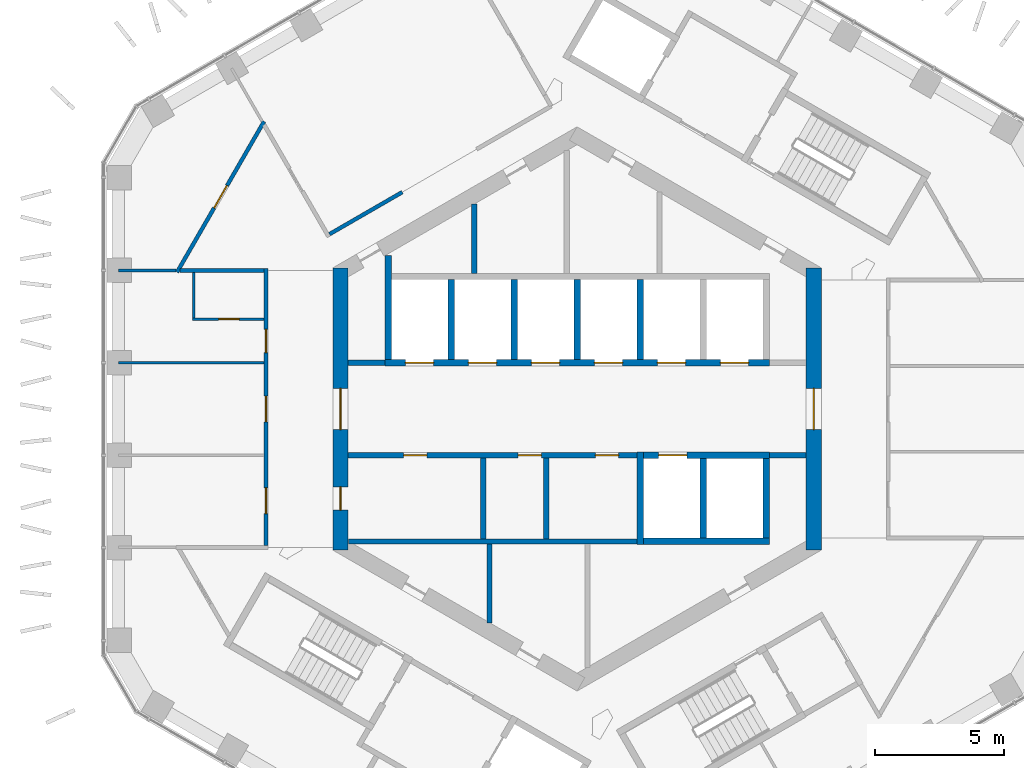
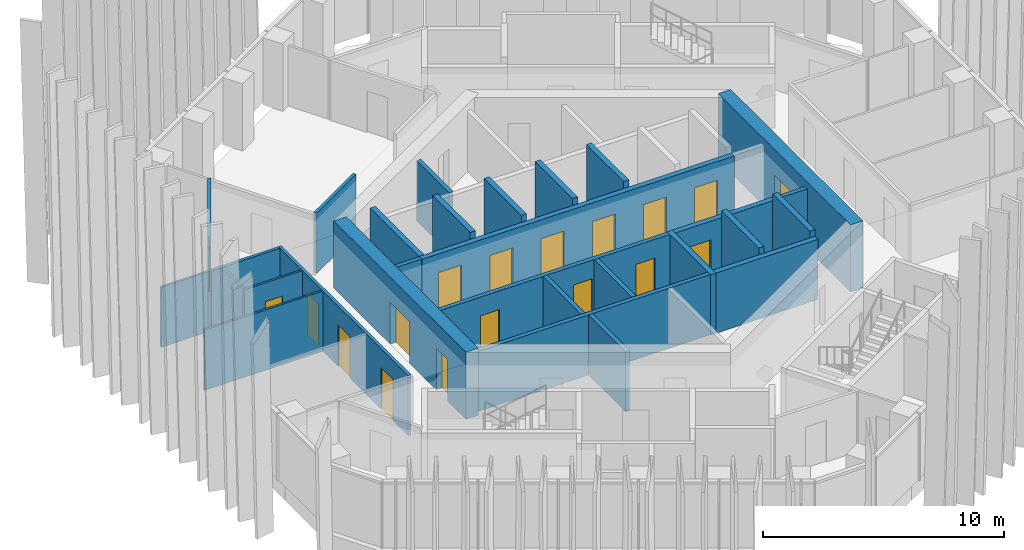
# One storey, part 14 of 21: 29 walls, 18 doors, 18 openings.
"""IFC4 building model written with IfcOpenShell, lengths in metres."""

from ifc_helpers import new_model, si_unit, direction, frame, frame_2d, origin, place, context, subcontext, project, spatial, rectangle, extrude, material, layer, layer_set, type_object, element, fill, save


model = new_model("IFC4")

# Units and contexts
model_context = context("Model", 3, precision=1e-05, world=origin(), true_north=direction((0.0, 1.0)))
body_context = subcontext(model_context, "Body", "Model", "MODEL_VIEW")
ifc_project = project(units=[si_unit("LENGTHUNIT", "METRE"), si_unit("AREAUNIT", "SQUARE_METRE"), si_unit("VOLUMEUNIT", "CUBIC_METRE"), si_unit("PLANEANGLEUNIT", "RADIAN"), si_unit("MASSUNIT", "GRAM", prefix="KILO")], contexts=[model_context])

# Site, building, storey
site_placement = place(None, origin())
site = spatial("IfcSite", under=ifc_project, at=site_placement, CompositionType="ELEMENT")
building_placement = place(site_placement, origin())
building = spatial("IfcBuilding", under=site, at=building_placement, Name="Ayvan Gate Tower", CompositionType="ELEMENT")
storey_placement = place(building_placement, frame((0.0, 0.0, 173.10009765625)))
storey = spatial("IfcBuildingStorey", under=building, at=storey_placement, Name="L46", CompositionType="ELEMENT", Elevation=173.10009765625)

# Wall, opening, door
ifc_material_1 = material(Name="Concrete C60/75", Category="concrete")
ifc_layer_1 = layer(ifc_material_1, 0.60009765625)
ifc_layer_set_1 = layer_set([ifc_layer_1], Name="Concrete C60/75")
wall_type_1 = type_object("IfcWallType", Name="Core wall 600 C60/75", PredefinedType="SHEAR", material=ifc_layer_set_1)
wall_1_placement = place(storey_placement, frame((9.199951171875, -5.48486328125, 0.0), z_axis=(0.0, 0.0, 1.0), x_axis=(0.0, 1.0, 0.0)))
wall_1 = element("IfcWall", 1, at=wall_1_placement, inside=storey, type_object=wall_type_1, Name="CORE-L46-0", PredefinedType="SHEAR", context=body_context, shape_type="SweptSolid", body=[
    extrude(rectangle(XDim=10.9697265625, YDim=0.60009765625, at=frame_2d((5.48486328125, 0.0))), origin(), (0.0, 0.0, 1.0), 3.39990234375),
])
opening_1_placement = place(wall_1_placement, frame((4.684814453125, 0.0, 0.0)))
opening_1 = element("IfcOpeningElement", 2, at=opening_1_placement, cuts=wall_1, Name="Opening L46-D48", PredefinedType="OPENING", context=body_context, shape_type="SweptSolid", body=[
    extrude(rectangle(XDim=1.60009765625, YDim=2.10009765625, at=frame_2d((0.800048828125, 1.050048828125))), frame((0.0, 0.31005859375, 0.0), z_axis=(0.0, -1.0, 0.0), x_axis=(1.0, 0.0, 0.0)), (0.0, 0.0, 1.0), 0.6201171875),
])
ifc_material_2 = material(Name="Timber door leaf", Category="wood")
door_type_1 = type_object("IfcDoorType", Name="DT-1600", OperationType="NOTDEFINED", PredefinedType="DOOR", material=ifc_material_2)
door_1_placement = place(opening_1_placement, origin())
door_1 = element("IfcDoor", 3, at=door_1_placement, inside=storey, type_object=door_type_1, Name="CD-L46-48", OperationType="SINGLE_SWING_RIGHT", OverallHeight=2.10009765625, OverallWidth=1.60009765625, PredefinedType="DOOR", context=body_context, shape_type="SweptSolid", body=[
    extrude(rectangle(XDim=1.60009765625, YDim=2.10009765625, at=frame_2d((0.800048828125, 1.050048828125))), frame((0.0, 0.02490234375, 0.0), z_axis=(0.0, -1.0, 0.0), x_axis=(1.0, 0.0, 0.0)), (0.0, 0.0, 1.0), 0.050048828125),
])
fill(opening_1, door_1)

# Wall, openings, doors
wall_2_placement = place(storey_placement, frame((-9.199951171875, 5.48486328125, 0.0), z_axis=(0.0, 0.0, 1.0), x_axis=(0.0, -1.0, 0.0)))
wall_2 = element("IfcWall", 4, at=wall_2_placement, inside=storey, type_object=wall_type_1, Name="CORE-L46-3", PredefinedType="SHEAR", context=body_context, shape_type="SweptSolid", body=[
    extrude(rectangle(XDim=10.9697265625, YDim=0.60009765625, at=frame_2d((5.48486328125, 0.0))), origin(), (0.0, 0.0, 1.0), 3.39990234375),
])
opening_2_placement = place(wall_2_placement, frame((8.51611328125, 0.0, 0.0)))
opening_2 = element("IfcOpeningElement", 5, at=opening_2_placement, cuts=wall_2, Name="Opening L46-D47", PredefinedType="OPENING", context=body_context, shape_type="SweptSolid", body=[
    extrude(rectangle(XDim=0.89990234375, YDim=2.10009765625, at=frame_2d((0.449951171875, 1.050048828125))), frame((0.0, 0.31005859375, 0.0), z_axis=(0.0, -1.0, 0.0), x_axis=(1.0, 0.0, 0.0)), (0.0, 0.0, 1.0), 0.6201171875),
])
opening_3_placement = place(wall_2_placement, frame((4.684814453125, 0.0, 0.0)))
opening_3 = element("IfcOpeningElement", 6, at=opening_3_placement, cuts=wall_2, Name="Opening L46-D49", PredefinedType="OPENING", context=body_context, shape_type="SweptSolid", body=[
    extrude(rectangle(XDim=1.60009765625, YDim=2.10009765625, at=frame_2d((0.800048828125, 1.050048828125))), frame((0.0, 0.31005859375, 0.0), z_axis=(0.0, -1.0, 0.0), x_axis=(1.0, 0.0, 0.0)), (0.0, 0.0, 1.0), 0.6201171875),
])
door_2_placement = place(opening_3_placement, origin())
door_2 = element("IfcDoor", 7, at=door_2_placement, inside=storey, type_object=door_type_1, Name="CD-L46-49", OperationType="SINGLE_SWING_LEFT", OverallHeight=2.10009765625, OverallWidth=1.60009765625, PredefinedType="DOOR", context=body_context, shape_type="SweptSolid", body=[
    extrude(rectangle(XDim=1.60009765625, YDim=2.10009765625, at=frame_2d((0.800048828125, 1.050048828125))), frame((0.0, 0.02490234375, 0.0), z_axis=(0.0, -1.0, 0.0), x_axis=(1.0, 0.0, 0.0)), (0.0, 0.0, 1.0), 0.050048828125),
])
fill(opening_3, door_2)
door_type_2 = type_object("IfcDoorType", Name="DT-900", OperationType="NOTDEFINED", PredefinedType="DOOR", material=ifc_material_2)
door_3_placement = place(opening_2_placement, origin())
door_3 = element("IfcDoor", 8, at=door_3_placement, inside=storey, type_object=door_type_2, Name="CD-L46-47", OperationType="SINGLE_SWING_LEFT", OverallHeight=2.10009765625, OverallWidth=0.89990234375, PredefinedType="DOOR", context=body_context, shape_type="SweptSolid", body=[
    extrude(rectangle(XDim=0.89990234375, YDim=2.10009765625, at=frame_2d((0.449951171875, 1.050048828125))), frame((0.0, 0.02490234375, 0.0), z_axis=(0.0, -1.0, 0.0), x_axis=(1.0, 0.0, 0.0)), (0.0, 0.0, 1.0), 0.050048828125),
])
fill(opening_2, door_3)

# Wall, opening, door
ifc_material_3 = material(Name="Plasterboard on steel stud", Category="steel")
ifc_layer_2 = layer(ifc_material_3, 0.14990234375)
ifc_layer_set_2 = layer_set([ifc_layer_2], Name="Plasterboard on steel stud")
wall_type_2 = type_object("IfcWallType", Name="WT-CORR-150", PredefinedType="PARTITIONING", material=ifc_layer_set_2)
wall_3_placement = place(storey_placement, frame((-15.5546875, 5.319091796875, 0.0), z_axis=(0.0, 0.0, 1.0), x_axis=(0.500006564844, 0.866021613537, 0.0)))
wall_3 = element("IfcWall", 9, at=wall_3_placement, inside=storey, type_object=wall_type_2, Name="IW-L46-001", PredefinedType="PARTITIONING", context=body_context, shape_type="SweptSolid", body=[
    extrude(rectangle(XDim=6.76904296875, YDim=0.14990234375, at=frame_2d((3.384521484375, 0.0))), origin(), (0.0, 0.0, 1.0), 3.0498046875),
])
opening_4_placement = place(wall_3_placement, frame((2.884521484375, 0.0, 0.0)))
opening_4 = element("IfcOpeningElement", 10, at=opening_4_placement, cuts=wall_3, Name="Opening L46-D28", PredefinedType="OPENING", context=body_context, shape_type="SweptSolid", body=[
    extrude(rectangle(XDim=1.0, YDim=2.10009765625, at=frame_2d((0.5, 1.050048828125))), frame((0.0, 0.0849609375, 0.0), z_axis=(0.0, -1.0, 0.0), x_axis=(1.0, 0.0, 0.0)), (0.0, 0.0, 1.0), 0.169921875),
])
door_type_3 = type_object("IfcDoorType", Name="DT-1000", OperationType="NOTDEFINED", PredefinedType="DOOR", material=ifc_material_2)
door_4_placement = place(opening_4_placement, origin())
door_4 = element("IfcDoor", 11, at=door_4_placement, inside=storey, type_object=door_type_3, Name="ID-L46-028", OperationType="SINGLE_SWING_RIGHT", OverallHeight=2.10009765625, OverallWidth=1.0, PredefinedType="DOOR", context=body_context, shape_type="SweptSolid", body=[
    extrude(rectangle(XDim=1.0, YDim=2.10009765625, at=frame_2d((0.5, 1.050048828125))), frame((0.0, 0.02490234375, 0.0), z_axis=(0.0, -1.0, 0.0), x_axis=(1.0, 0.0, 0.0)), (0.0, 0.0, 1.0), 0.050048828125),
])
fill(opening_4, door_4)

# Wall, openings, doors
wall_4_placement = place(storey_placement, frame((-12.10009765625, -5.30908203125, 0.0), z_axis=(0.0, 0.0, 1.0), x_axis=(0.0, 1.0, 0.0)))
wall_4 = element("IfcWall", 12, at=wall_4_placement, inside=storey, type_object=wall_type_2, Name="IW-L46-010", PredefinedType="PARTITIONING", context=body_context, shape_type="SweptSolid", body=[
    extrude(rectangle(XDim=10.76806640625, YDim=0.14990234375, at=frame_2d((5.384033203125, 0.0))), origin(), (0.0, 0.0, 1.0), 3.0498046875),
])
opening_5_placement = place(wall_4_placement, frame((7.50390625, 0.0, 0.0)))
opening_5 = element("IfcOpeningElement", 13, at=opening_5_placement, cuts=wall_4, Name="Opening L46-D29", PredefinedType="OPENING", context=body_context, shape_type="SweptSolid", body=[
    extrude(rectangle(XDim=0.89990234375, YDim=2.10009765625, at=frame_2d((0.449951171875, 1.050048828125))), frame((0.0, 0.0849609375, 0.0), z_axis=(0.0, -1.0, 0.0), x_axis=(1.0, 0.0, 0.0)), (0.0, 0.0, 1.0), 0.169921875),
])
opening_6_placement = place(wall_4_placement, frame((4.80908203125, 0.0, 0.0)))
opening_6 = element("IfcOpeningElement", 14, at=opening_6_placement, cuts=wall_4, Name="Opening L46-D31", PredefinedType="OPENING", context=body_context, shape_type="SweptSolid", body=[
    extrude(rectangle(XDim=1.0, YDim=2.10009765625, at=frame_2d((0.5, 1.050048828125))), frame((0.0, 0.0849609375, 0.0), z_axis=(0.0, -1.0, 0.0), x_axis=(1.0, 0.0, 0.0)), (0.0, 0.0, 1.0), 0.169921875),
])
opening_7_placement = place(wall_4_placement, frame((1.2421875, 0.0, 0.0)))
opening_7 = element("IfcOpeningElement", 15, at=opening_7_placement, cuts=wall_4, Name="Opening L46-D32", PredefinedType="OPENING", context=body_context, shape_type="SweptSolid", body=[
    extrude(rectangle(XDim=1.0, YDim=2.10009765625, at=frame_2d((0.5, 1.050048828125))), frame((0.0, 0.0849609375, 0.0), z_axis=(0.0, -1.0, 0.0), x_axis=(1.0, 0.0, 0.0)), (0.0, 0.0, 1.0), 0.169921875),
])
door_5_placement = place(opening_6_placement, origin())
door_5 = element("IfcDoor", 16, at=door_5_placement, inside=storey, type_object=door_type_3, Name="ID-L46-031", OperationType="SINGLE_SWING_LEFT", OverallHeight=2.10009765625, OverallWidth=1.0, PredefinedType="DOOR", context=body_context, shape_type="SweptSolid", body=[
    extrude(rectangle(XDim=1.0, YDim=2.10009765625, at=frame_2d((0.5, 1.050048828125))), frame((0.0, 0.02490234375, 0.0), z_axis=(0.0, -1.0, 0.0), x_axis=(1.0, 0.0, 0.0)), (0.0, 0.0, 1.0), 0.050048828125),
])
fill(opening_6, door_5)
door_6_placement = place(opening_7_placement, origin())
door_6 = element("IfcDoor", 17, at=door_6_placement, inside=storey, type_object=door_type_3, Name="ID-L46-032", OperationType="SINGLE_SWING_RIGHT", OverallHeight=2.10009765625, OverallWidth=1.0, PredefinedType="DOOR", context=body_context, shape_type="SweptSolid", body=[
    extrude(rectangle(XDim=1.0, YDim=2.10009765625, at=frame_2d((0.5, 1.050048828125))), frame((0.0, 0.02490234375, 0.0), z_axis=(0.0, -1.0, 0.0), x_axis=(1.0, 0.0, 0.0)), (0.0, 0.0, 1.0), 0.050048828125),
])
fill(opening_7, door_6)
door_7_placement = place(opening_5_placement, origin())
door_7 = element("IfcDoor", 18, at=door_7_placement, inside=storey, type_object=door_type_2, Name="ID-L46-029", OperationType="SINGLE_SWING_LEFT", OverallHeight=2.10009765625, OverallWidth=0.89990234375, PredefinedType="DOOR", context=body_context, shape_type="SweptSolid", body=[
    extrude(rectangle(XDim=0.89990234375, YDim=2.10009765625, at=frame_2d((0.449951171875, 1.050048828125))), frame((0.0, 0.02490234375, 0.0), z_axis=(0.0, -1.0, 0.0), x_axis=(1.0, 0.0, 0.0)), (0.0, 0.0, 1.0), 0.050048828125),
])
fill(opening_5, door_7)

# Walls
wall_5_placement = place(storey_placement, frame((-12.1748046875, 5.384033203125, 0.0), z_axis=(0.0, 0.0, 1.0), x_axis=(-1.0, 0.0, 0.0)))
element("IfcWall", 19, at=wall_5_placement, inside=storey, type_object=wall_type_2, Name="IW-L46-013", PredefinedType="PARTITIONING", context=body_context, shape_type="SweptSolid", body=[
    extrude(rectangle(XDim=3.267333984375, YDim=0.14990234375, at=frame_2d((1.6337890625, 0.0))), origin(), (0.0, 0.0, 1.0), 3.0498046875),
])
wall_6_placement = place(storey_placement, frame((-9.62744140625, 6.796875, 0.0), z_axis=(0.0, 0.0, 1.0), x_axis=(0.866013897511, 0.50001992892, 0.0)))
element("IfcWall", 20, at=wall_6_placement, inside=storey, type_object=wall_type_2, Name="IW-L46-015", PredefinedType="PARTITIONING", context=body_context, shape_type="SweptSolid", body=[
    extrude(rectangle(XDim=3.267822265625, YDim=0.14990234375, at=frame_2d((1.6337890625, 0.0))), origin(), (0.0, 0.0, 1.0), 3.0498046875),
])
ifc_layer_3 = layer(ifc_material_3, 0.10009765625)
ifc_layer_set_3 = layer_set([ifc_layer_3], Name="Plasterboard on steel stud")
wall_type_3 = type_object("IfcWallType", Name="WT-PART-100", PredefinedType="PARTITIONING", material=ifc_layer_set_3)
wall_7_placement = place(storey_placement, frame((-15.59228515625, 5.384033203125, 0.0), z_axis=(0.0, 0.0, 1.0), x_axis=(-1.0, 0.0, 0.0)))
element("IfcWall", 21, at=wall_7_placement, inside=storey, type_object=wall_type_3, Name="IW-L46-000", PredefinedType="PARTITIONING", context=body_context, shape_type="SweptSolid", body=[
    extrude(rectangle(XDim=2.23828125, YDim=0.10009765625, at=frame_2d((1.119140625, 0.0))), origin(), (0.0, 0.0, 1.0), 3.0498046875),
])

# Wall, opening, door
wall_8_placement = place(storey_placement, frame((-14.949951171875, 3.49462890625, 0.0), z_axis=(0.0, 0.0, 1.0), x_axis=(1.0, 0.0, 0.0)))
wall_8 = element("IfcWall", 22, at=wall_8_placement, inside=storey, type_object=wall_type_3, Name="IW-L46-004", PredefinedType="PARTITIONING", context=body_context, shape_type="SweptSolid", body=[
    extrude(rectangle(XDim=2.77490234375, YDim=0.10009765625, at=frame_2d((1.387451171875, 0.0))), origin(), (0.0, 0.0, 1.0), 3.0498046875),
])
opening_8_placement = place(wall_8_placement, frame((1.012451171875, 0.0, 0.0)))
opening_8 = element("IfcOpeningElement", 23, at=opening_8_placement, cuts=wall_8, Name="Opening L46-D30", PredefinedType="OPENING", context=body_context, shape_type="SweptSolid", body=[
    extrude(rectangle(XDim=0.800048828125, YDim=2.10009765625, at=frame_2d((0.39990234375, 1.050048828125))), frame((0.0, 0.06005859375, 0.0), z_axis=(0.0, -1.0, 0.0), x_axis=(1.0, 0.0, 0.0)), (0.0, 0.0, 1.0), 0.1201171875),
])
door_type_4 = type_object("IfcDoorType", Name="DT-800", OperationType="NOTDEFINED", PredefinedType="DOOR", material=ifc_material_2)
door_8_placement = place(opening_8_placement, origin())
door_8 = element("IfcDoor", 24, at=door_8_placement, inside=storey, type_object=door_type_4, Name="ID-L46-030", OperationType="SINGLE_SWING_RIGHT", OverallHeight=2.10009765625, OverallWidth=0.800048828125, PredefinedType="DOOR", context=body_context, shape_type="SweptSolid", body=[
    extrude(rectangle(XDim=0.800048828125, YDim=2.10009765625, at=frame_2d((0.39990234375, 1.050048828125))), frame((0.0, 0.02490234375, 0.0), z_axis=(0.0, -1.0, 0.0), x_axis=(1.0, 0.0, 0.0)), (0.0, 0.0, 1.0), 0.050048828125),
])
fill(opening_8, door_8)

# Walls
wall_9_placement = place(storey_placement, frame((-14.89990234375, 5.30908203125, 0.0), z_axis=(0.0, 0.0, 1.0), x_axis=(0.0, -1.0, 0.0)))
element("IfcWall", 25, at=wall_9_placement, inside=storey, type_object=wall_type_3, Name="IW-L46-005", PredefinedType="PARTITIONING", context=body_context, shape_type="SweptSolid", body=[
    extrude(rectangle(XDim=1.764404296875, YDim=0.10009765625, at=frame_2d((0.88232421875, 0.0))), origin(), (0.0, 0.0, 1.0), 3.0498046875),
])
wall_10_placement = place(storey_placement, frame((-12.175048828125, 1.794677734375, 0.0), z_axis=(0.0, 0.0, 1.0), x_axis=(-1.0, 0.0, 0.0)))
element("IfcWall", 26, at=wall_10_placement, inside=storey, type_object=wall_type_3, Name="IW-L46-012", PredefinedType="PARTITIONING", context=body_context, shape_type="SweptSolid", body=[
    extrude(rectangle(XDim=5.655517578125, YDim=0.10009765625, at=frame_2d((2.82763671875, 0.0))), origin(), (0.0, 0.0, 1.0), 3.0498046875),
])
ifc_layer_4 = layer(ifc_material_3, 0.199951171875)
ifc_layer_set_4 = layer_set([ifc_layer_4], Name="Plasterboard on steel stud")
wall_type_4 = type_object("IfcWallType", Name="WT-RATED-200", PredefinedType="PARTITIONING", material=ifc_layer_set_4)
wall_11_placement = place(storey_placement, frame((-8.89990234375, 1.800048828125, 0.0), z_axis=(0.0, 0.0, 1.0), x_axis=(1.0, 0.0, 0.0)))
element("IfcWall", 27, at=wall_11_placement, inside=storey, type_object=wall_type_4, Name="IW-L46-016", PredefinedType="PARTITIONING", context=body_context, shape_type="SweptSolid", body=[
    extrude(rectangle(XDim=1.425048828125, YDim=0.199951171875, at=frame_2d((0.71240234375, 0.0))), origin(), (0.0, 0.0, 1.0), 3.0498046875),
])
wall_12_placement = place(storey_placement, frame((-8.8798828125, -5.14990234375, 0.0), z_axis=(0.0, 0.0, 1.0), x_axis=(1.0, 0.0, 0.0)))
element("IfcWall", 28, at=wall_12_placement, inside=storey, type_object=wall_type_4, Name="IW-L46-017", PredefinedType="PARTITIONING", context=body_context, shape_type="SweptSolid", body=[
    extrude(rectangle(XDim=11.205078125, YDim=0.199951171875, at=frame_2d((5.6025390625, 0.0))), origin(), (0.0, 0.0, 1.0), 3.0498046875),
])
wall_13_placement = place(storey_placement, frame((-4.0, 7.96728515625, 0.0), z_axis=(0.0, 0.0, 1.0), x_axis=(0.0, -1.0, 0.0)))
element("IfcWall", 29, at=wall_13_placement, inside=storey, type_object=wall_type_4, Name="IW-L46-031", PredefinedType="PARTITIONING", context=body_context, shape_type="SweptSolid", body=[
    extrude(rectangle(XDim=2.6923828125, YDim=0.199951171875, at=frame_2d((1.34619140625, 0.0))), origin(), (0.0, 0.0, 1.0), 3.0498046875),
])
wall_14_placement = place(storey_placement, frame((-3.64990234375, -1.89990234375, 0.0), z_axis=(0.0, 0.0, 1.0), x_axis=(0.0, -1.0, 0.0)))
element("IfcWall", 30, at=wall_14_placement, inside=storey, type_object=wall_type_4, Name="IW-L46-034", PredefinedType="PARTITIONING", context=body_context, shape_type="SweptSolid", body=[
    extrude(rectangle(XDim=3.150146484375, YDim=0.199951171875, at=frame_2d((1.5751953125, 0.0))), origin(), (0.0, 0.0, 1.0), 3.0498046875),
])

# Wall, openings, doors
wall_15_placement = place(storey_placement, frame((-8.89990234375, -1.800048828125, 0.0), z_axis=(0.0, 0.0, 1.0), x_axis=(1.0, 0.0, 0.0)))
wall_15 = element("IfcWall", 31, at=wall_15_placement, inside=storey, type_object=wall_type_4, Name="IW-L46-035", PredefinedType="PARTITIONING", context=body_context, shape_type="SweptSolid", body=[
    extrude(rectangle(XDim=11.22509765625, YDim=0.199951171875, at=frame_2d((5.612548828125, 0.0))), origin(), (0.0, 0.0, 1.0), 3.0498046875),
])
opening_9_placement = place(wall_15_placement, frame((2.159912109375, 0.0, 0.0)))
opening_9 = element("IfcOpeningElement", 32, at=opening_9_placement, cuts=wall_15, Name="Opening L46-D08", PredefinedType="OPENING", context=body_context, shape_type="SweptSolid", body=[
    extrude(rectangle(XDim=0.89990234375, YDim=2.10009765625, at=frame_2d((0.449951171875, 1.050048828125))), frame((0.0, 0.10986328125, 0.0), z_axis=(0.0, -1.0, 0.0), x_axis=(1.0, 0.0, 0.0)), (0.0, 0.0, 1.0), 0.219970703125),
])
opening_10_placement = place(wall_15_placement, frame((6.610107421875, 0.0, 0.0)))
opening_10 = element("IfcOpeningElement", 33, at=opening_10_placement, cuts=wall_15, Name="Opening L46-D09", PredefinedType="OPENING", context=body_context, shape_type="SweptSolid", body=[
    extrude(rectangle(XDim=0.89990234375, YDim=2.10009765625, at=frame_2d((0.449951171875, 1.050048828125))), frame((0.0, 0.10986328125, 0.0), z_axis=(0.0, -1.0, 0.0), x_axis=(1.0, 0.0, 0.0)), (0.0, 0.0, 1.0), 0.219970703125),
])
opening_11_placement = place(wall_15_placement, frame((9.612548828125, 0.0, 0.0)))
opening_11 = element("IfcOpeningElement", 34, at=opening_11_placement, cuts=wall_15, Name="Opening L46-D10", PredefinedType="OPENING", context=body_context, shape_type="SweptSolid", body=[
    extrude(rectangle(XDim=0.89990234375, YDim=2.10009765625, at=frame_2d((0.449951171875, 1.050048828125))), frame((0.0, 0.10986328125, 0.0), z_axis=(0.0, -1.0, 0.0), x_axis=(1.0, 0.0, 0.0)), (0.0, 0.0, 1.0), 0.219970703125),
])
door_9_placement = place(opening_9_placement, origin())
door_9 = element("IfcDoor", 35, at=door_9_placement, inside=storey, type_object=door_type_2, Name="ID-L46-008", OperationType="SINGLE_SWING_RIGHT", OverallHeight=2.10009765625, OverallWidth=0.89990234375, PredefinedType="DOOR", context=body_context, shape_type="SweptSolid", body=[
    extrude(rectangle(XDim=0.89990234375, YDim=2.10009765625, at=frame_2d((0.449951171875, 1.050048828125))), frame((0.0, 0.02490234375, 0.0), z_axis=(0.0, -1.0, 0.0), x_axis=(1.0, 0.0, 0.0)), (0.0, 0.0, 1.0), 0.050048828125),
])
fill(opening_9, door_9)
door_10_placement = place(opening_10_placement, origin())
door_10 = element("IfcDoor", 36, at=door_10_placement, inside=storey, type_object=door_type_2, Name="ID-L46-009", OperationType="SINGLE_SWING_LEFT", OverallHeight=2.10009765625, OverallWidth=0.89990234375, PredefinedType="DOOR", context=body_context, shape_type="SweptSolid", body=[
    extrude(rectangle(XDim=0.89990234375, YDim=2.10009765625, at=frame_2d((0.449951171875, 1.050048828125))), frame((0.0, 0.02490234375, 0.0), z_axis=(0.0, -1.0, 0.0), x_axis=(1.0, 0.0, 0.0)), (0.0, 0.0, 1.0), 0.050048828125),
])
fill(opening_10, door_10)
door_11_placement = place(opening_11_placement, origin())
door_11 = element("IfcDoor", 37, at=door_11_placement, inside=storey, type_object=door_type_2, Name="ID-L46-010", OperationType="SINGLE_SWING_RIGHT", OverallHeight=2.10009765625, OverallWidth=0.89990234375, PredefinedType="DOOR", context=body_context, shape_type="SweptSolid", body=[
    extrude(rectangle(XDim=0.89990234375, YDim=2.10009765625, at=frame_2d((0.449951171875, 1.050048828125))), frame((0.0, 0.02490234375, 0.0), z_axis=(0.0, -1.0, 0.0), x_axis=(1.0, 0.0, 0.0)), (0.0, 0.0, 1.0), 0.050048828125),
])
fill(opening_11, door_11)

# Walls
wall_16_placement = place(storey_placement, frame((-3.39990234375, -5.25, 0.0), z_axis=(0.0, 0.0, 1.0), x_axis=(0.0, -1.0, 0.0)))
element("IfcWall", 38, at=wall_16_placement, inside=storey, type_object=wall_type_4, Name="IW-L46-038", PredefinedType="PARTITIONING", context=body_context, shape_type="SweptSolid", body=[
    extrude(rectangle(XDim=3.063720703125, YDim=0.199951171875, at=frame_2d((1.53173828125, 0.0))), origin(), (0.0, 0.0, 1.0), 3.0498046875),
])
wall_17_placement = place(storey_placement, frame((-1.199951171875, -1.89990234375, 0.0), z_axis=(0.0, 0.0, 1.0), x_axis=(0.0, -1.0, 0.0)))
element("IfcWall", 39, at=wall_17_placement, inside=storey, type_object=wall_type_4, Name="IW-L46-045", PredefinedType="PARTITIONING", context=body_context, shape_type="SweptSolid", body=[
    extrude(rectangle(XDim=3.150146484375, YDim=0.199951171875, at=frame_2d((1.5751953125, 0.0))), origin(), (0.0, 0.0, 1.0), 3.0498046875),
])
wall_18_placement = place(storey_placement, frame((8.89990234375, -1.800048828125, 0.0), z_axis=(0.0, 0.0, 1.0), x_axis=(-1.0, 0.0, 0.0)))
element("IfcWall", 40, at=wall_18_placement, inside=storey, type_object=wall_type_4, Name="IW-L46-083", PredefinedType="PARTITIONING", context=body_context, shape_type="SweptSolid", body=[
    extrude(rectangle(XDim=1.425048828125, YDim=0.199951171875, at=frame_2d((0.71240234375, 0.0))), origin(), (0.0, 0.0, 1.0), 3.0498046875),
])

# Wall, openings, doors
ifc_material_4 = material(Name="Concrete C50/60", Category="concrete")
ifc_layer_5 = layer(ifc_material_4, 0.25)
ifc_layer_set_5 = layer_set([ifc_layer_5], Name="Concrete C50/60")
wall_type_5 = type_object("IfcWallType", Name="WT-RC-250", PredefinedType="SHEAR", material=ifc_layer_set_5)
wall_19_placement = place(storey_placement, frame((-7.47509765625, 1.800048828125, 0.0), z_axis=(0.0, 0.0, 1.0), x_axis=(1.0, 0.0, 0.0)))
wall_19 = element("IfcWall", 41, at=wall_19_placement, inside=storey, type_object=wall_type_5, Name="IW-L46-023", PredefinedType="SHEAR", context=body_context, shape_type="SweptSolid", body=[
    extrude(rectangle(XDim=14.9501953125, YDim=0.25, at=frame_2d((7.47509765625, 0.0))), origin(), (0.0, 0.0, 1.0), 3.0498046875),
])
opening_12_placement = place(wall_19_placement, frame((0.800048828125, 0.0, 0.0)))
opening_12 = element("IfcOpeningElement", 42, at=opening_12_placement, cuts=wall_19, Name="Opening L46-LD-HR1", PredefinedType="OPENING", context=body_context, shape_type="SweptSolid", body=[
    extrude(rectangle(XDim=1.10009765625, YDim=2.10009765625, at=frame_2d((0.550048828125, 1.050048828125))), frame((0.0, 0.135009765625, 0.0), z_axis=(0.0, -1.0, 0.0), x_axis=(1.0, 0.0, 0.0)), (0.0, 0.0, 1.0), 0.27001953125),
])
opening_13_placement = place(wall_19_placement, frame((3.25, 0.0, 0.0)))
opening_13 = element("IfcOpeningElement", 43, at=opening_13_placement, cuts=wall_19, Name="Opening L46-LD-HR2", PredefinedType="OPENING", context=body_context, shape_type="SweptSolid", body=[
    extrude(rectangle(XDim=1.10009765625, YDim=2.10009765625, at=frame_2d((0.550048828125, 1.050048828125))), frame((0.0, 0.135009765625, 0.0), z_axis=(0.0, -1.0, 0.0), x_axis=(1.0, 0.0, 0.0)), (0.0, 0.0, 1.0), 0.27001953125),
])
opening_14_placement = place(wall_19_placement, frame((5.7001953125, 0.0, 0.0)))
opening_14 = element("IfcOpeningElement", 44, at=opening_14_placement, cuts=wall_19, Name="Opening L46-LD-HR3", PredefinedType="OPENING", context=body_context, shape_type="SweptSolid", body=[
    extrude(rectangle(XDim=1.10009765625, YDim=2.10009765625, at=frame_2d((0.550048828125, 1.050048828125))), frame((0.0, 0.135009765625, 0.0), z_axis=(0.0, -1.0, 0.0), x_axis=(1.0, 0.0, 0.0)), (0.0, 0.0, 1.0), 0.27001953125),
])
opening_15_placement = place(wall_19_placement, frame((8.150146484375, 0.0, 0.0)))
opening_15 = element("IfcOpeningElement", 45, at=opening_15_placement, cuts=wall_19, Name="Opening L46-LD-HR4", PredefinedType="OPENING", context=body_context, shape_type="SweptSolid", body=[
    extrude(rectangle(XDim=1.10009765625, YDim=2.10009765625, at=frame_2d((0.550048828125, 1.050048828125))), frame((0.0, 0.135009765625, 0.0), z_axis=(0.0, -1.0, 0.0), x_axis=(1.0, 0.0, 0.0)), (0.0, 0.0, 1.0), 0.27001953125),
])
opening_16_placement = place(wall_19_placement, frame((10.60009765625, 0.0, 0.0)))
opening_16 = element("IfcOpeningElement", 46, at=opening_16_placement, cuts=wall_19, Name="Opening L46-LD-HR5", PredefinedType="OPENING", context=body_context, shape_type="SweptSolid", body=[
    extrude(rectangle(XDim=1.10009765625, YDim=2.10009765625, at=frame_2d((0.550048828125, 1.050048828125))), frame((0.0, 0.135009765625, 0.0), z_axis=(0.0, -1.0, 0.0), x_axis=(1.0, 0.0, 0.0)), (0.0, 0.0, 1.0), 0.27001953125),
])
opening_17_placement = place(wall_19_placement, frame((13.050048828125, 0.0, 0.0)))
opening_17 = element("IfcOpeningElement", 47, at=opening_17_placement, cuts=wall_19, Name="Opening L46-LD-HR6", PredefinedType="OPENING", context=body_context, shape_type="SweptSolid", body=[
    extrude(rectangle(XDim=1.10009765625, YDim=2.10009765625, at=frame_2d((0.550048828125, 1.050048828125))), frame((0.0, 0.135009765625, 0.0), z_axis=(0.0, -1.0, 0.0), x_axis=(1.0, 0.0, 0.0)), (0.0, 0.0, 1.0), 0.27001953125),
])
ifc_material_5 = material(Name="Stainless steel landing door", Category="steel")
door_type_5 = type_object("IfcDoorType", Name="DT-LANDING-1100", OperationType="SLIDING_TO_LEFT", PredefinedType="DOOR", material=ifc_material_5)
door_12_placement = place(opening_12_placement, origin())
door_12 = element("IfcDoor", 48, at=door_12_placement, inside=storey, type_object=door_type_5, Name="ID-L46-001", OperationType="SLIDING_TO_LEFT", OverallHeight=2.10009765625, OverallWidth=1.10009765625, PredefinedType="DOOR", context=body_context, shape_type="SweptSolid", body=[
    extrude(rectangle(XDim=1.10009765625, YDim=2.10009765625, at=frame_2d((0.550048828125, 1.050048828125))), frame((0.0, 0.02490234375, 0.0), z_axis=(0.0, -1.0, 0.0), x_axis=(1.0, 0.0, 0.0)), (0.0, 0.0, 1.0), 0.050048828125),
])
fill(opening_12, door_12)
door_13_placement = place(opening_13_placement, origin())
door_13 = element("IfcDoor", 49, at=door_13_placement, inside=storey, type_object=door_type_5, Name="ID-L46-002", OperationType="SLIDING_TO_LEFT", OverallHeight=2.10009765625, OverallWidth=1.10009765625, PredefinedType="DOOR", context=body_context, shape_type="SweptSolid", body=[
    extrude(rectangle(XDim=1.10009765625, YDim=2.10009765625, at=frame_2d((0.550048828125, 1.050048828125))), frame((0.0, 0.02490234375, 0.0), z_axis=(0.0, -1.0, 0.0), x_axis=(1.0, 0.0, 0.0)), (0.0, 0.0, 1.0), 0.050048828125),
])
fill(opening_13, door_13)
door_14_placement = place(opening_14_placement, origin())
door_14 = element("IfcDoor", 50, at=door_14_placement, inside=storey, type_object=door_type_5, Name="ID-L46-003", OperationType="SLIDING_TO_LEFT", OverallHeight=2.10009765625, OverallWidth=1.10009765625, PredefinedType="DOOR", context=body_context, shape_type="SweptSolid", body=[
    extrude(rectangle(XDim=1.10009765625, YDim=2.10009765625, at=frame_2d((0.550048828125, 1.050048828125))), frame((0.0, 0.02490234375, 0.0), z_axis=(0.0, -1.0, 0.0), x_axis=(1.0, 0.0, 0.0)), (0.0, 0.0, 1.0), 0.050048828125),
])
fill(opening_14, door_14)
door_15_placement = place(opening_15_placement, origin())
door_15 = element("IfcDoor", 51, at=door_15_placement, inside=storey, type_object=door_type_5, Name="ID-L46-004", OperationType="SLIDING_TO_LEFT", OverallHeight=2.10009765625, OverallWidth=1.10009765625, PredefinedType="DOOR", context=body_context, shape_type="SweptSolid", body=[
    extrude(rectangle(XDim=1.10009765625, YDim=2.10009765625, at=frame_2d((0.550048828125, 1.050048828125))), frame((0.0, 0.02490234375, 0.0), z_axis=(0.0, -1.0, 0.0), x_axis=(1.0, 0.0, 0.0)), (0.0, 0.0, 1.0), 0.050048828125),
])
fill(opening_15, door_15)
door_16_placement = place(opening_16_placement, origin())
door_16 = element("IfcDoor", 52, at=door_16_placement, inside=storey, type_object=door_type_5, Name="ID-L46-005", OperationType="SLIDING_TO_LEFT", OverallHeight=2.10009765625, OverallWidth=1.10009765625, PredefinedType="DOOR", context=body_context, shape_type="SweptSolid", body=[
    extrude(rectangle(XDim=1.10009765625, YDim=2.10009765625, at=frame_2d((0.550048828125, 1.050048828125))), frame((0.0, 0.02490234375, 0.0), z_axis=(0.0, -1.0, 0.0), x_axis=(1.0, 0.0, 0.0)), (0.0, 0.0, 1.0), 0.050048828125),
])
fill(opening_16, door_16)
door_17_placement = place(opening_17_placement, origin())
door_17 = element("IfcDoor", 53, at=door_17_placement, inside=storey, type_object=door_type_5, Name="ID-L46-006", OperationType="SLIDING_TO_LEFT", OverallHeight=2.10009765625, OverallWidth=1.10009765625, PredefinedType="DOOR", context=body_context, shape_type="SweptSolid", body=[
    extrude(rectangle(XDim=1.10009765625, YDim=2.10009765625, at=frame_2d((0.550048828125, 1.050048828125))), frame((0.0, 0.02490234375, 0.0), z_axis=(0.0, -1.0, 0.0), x_axis=(1.0, 0.0, 0.0)), (0.0, 0.0, 1.0), 0.050048828125),
])
fill(opening_17, door_17)

# Walls
wall_20_placement = place(storey_placement, frame((-7.35009765625, 1.925048828125, 0.0), z_axis=(0.0, 0.0, 1.0), x_axis=(0.0, 1.0, 0.0)))
element("IfcWall", 54, at=wall_20_placement, inside=storey, type_object=wall_type_5, Name="IW-L46-024", PredefinedType="SHEAR", context=body_context, shape_type="SweptSolid", body=[
    extrude(rectangle(XDim=4.0361328125, YDim=0.25, at=frame_2d((2.01806640625, 0.0))), origin(), (0.0, 0.0, 1.0), 3.0498046875),
])
for number, where, z_axis, x_axis, name in (
    (55, (-4.89990234375, 5.02490234375, 0.0), (0.0, 0.0, 1.0), (0.0, -1.0, 0.0), "IW-L46-030"),
    (56, (-2.449951171875, 5.02490234375, 0.0), (0.0, 0.0, 1.0), (0.0, -1.0, 0.0), "IW-L46-042"),
    (57, (0.0, 5.02490234375, 0.0), (0.0, 0.0, 1.0), (0.0, -1.0, 0.0), "IW-L46-050"),
):
    element("IfcWall", number, at=place(storey_placement, frame(where, z_axis=z_axis, x_axis=x_axis)), inside=storey, type_object=wall_type_5, Name=name, PredefinedType="SHEAR", context=body_context, shape_type="SweptSolid", body=[
        extrude(rectangle(XDim=3.099853515625, YDim=0.25, at=frame_2d((1.5498046875, 0.0))), origin(), (0.0, 0.0, 1.0), 3.39990234375),
    ])
wall_21_placement = place(storey_placement, frame((2.449951171875, -5.27490234375, 0.0), z_axis=(0.0, 0.0, 1.0), x_axis=(0.0, 1.0, 0.0)))
element("IfcWall", 58, at=wall_21_placement, inside=storey, type_object=wall_type_5, Name="IW-L46-055", PredefinedType="SHEAR", context=body_context, shape_type="SweptSolid", body=[
    extrude(rectangle(XDim=3.599853515625, YDim=0.25, at=frame_2d((1.7998046875, 0.0))), origin(), (0.0, 0.0, 1.0), 3.0498046875),
])
wall_22_placement = place(storey_placement, frame((2.449951171875, 5.02490234375, 0.0), z_axis=(0.0, 0.0, 1.0), x_axis=(0.0, -1.0, 0.0)))
element("IfcWall", 59, at=wall_22_placement, inside=storey, type_object=wall_type_5, Name="IW-L46-056", PredefinedType="SHEAR", context=body_context, shape_type="SweptSolid", body=[
    extrude(rectangle(XDim=3.099853515625, YDim=0.25, at=frame_2d((1.5498046875, 0.0))), origin(), (0.0, 0.0, 1.0), 3.39990234375),
])
wall_23_placement = place(storey_placement, frame((2.574951171875, -5.14990234375, 0.0), z_axis=(0.0, 0.0, 1.0), x_axis=(1.0, 0.0, 0.0)))
element("IfcWall", 60, at=wall_23_placement, inside=storey, type_object=wall_type_5, Name="IW-L46-067", PredefinedType="SHEAR", context=body_context, shape_type="SweptSolid", body=[
    extrude(rectangle(XDim=4.900146484375, YDim=0.25, at=frame_2d((2.4501953125, 0.0))), origin(), (0.0, 0.0, 1.0), 3.0498046875),
])
wall_24_placement = place(storey_placement, frame((4.89990234375, -1.925048828125, 0.0), z_axis=(0.0, 0.0, 1.0), x_axis=(0.0, -1.0, 0.0)))
element("IfcWall", 61, at=wall_24_placement, inside=storey, type_object=wall_type_5, Name="IW-L46-068", PredefinedType="SHEAR", context=body_context, shape_type="SweptSolid", body=[
    extrude(rectangle(XDim=3.099853515625, YDim=0.25, at=frame_2d((1.5498046875, 0.0))), origin(), (0.0, 0.0, 1.0), 3.39990234375),
])

# Wall, opening, door
wall_25_placement = place(storey_placement, frame((2.574951171875, -1.800048828125, 0.0), z_axis=(0.0, 0.0, 1.0), x_axis=(1.0, 0.0, 0.0)))
wall_25 = element("IfcWall", 62, at=wall_25_placement, inside=storey, type_object=wall_type_5, Name="IW-L46-070", PredefinedType="SHEAR", context=body_context, shape_type="SweptSolid", body=[
    extrude(rectangle(XDim=4.900146484375, YDim=0.25, at=frame_2d((2.4501953125, 0.0))), origin(), (0.0, 0.0, 1.0), 3.0498046875),
])
opening_18_placement = place(wall_25_placement, frame((0.597412109375, 0.0, 0.0)))
opening_18 = element("IfcOpeningElement", 63, at=opening_18_placement, cuts=wall_25, Name="Opening L46-LD-SV", PredefinedType="OPENING", context=body_context, shape_type="SweptSolid", body=[
    extrude(rectangle(XDim=1.10009765625, YDim=2.10009765625, at=frame_2d((0.550048828125, 1.050048828125))), frame((0.0, 0.135009765625, 0.0), z_axis=(0.0, -1.0, 0.0), x_axis=(1.0, 0.0, 0.0)), (0.0, 0.0, 1.0), 0.27001953125),
])
door_18_placement = place(opening_18_placement, origin())
door_18 = element("IfcDoor", 64, at=door_18_placement, inside=storey, type_object=door_type_5, Name="ID-L46-007", OperationType="SLIDING_TO_LEFT", OverallHeight=2.10009765625, OverallWidth=1.10009765625, PredefinedType="DOOR", context=body_context, shape_type="SweptSolid", body=[
    extrude(rectangle(XDim=1.10009765625, YDim=2.10009765625, at=frame_2d((0.550048828125, 1.050048828125))), frame((0.0, 0.02490234375, 0.0), z_axis=(0.0, -1.0, 0.0), x_axis=(1.0, 0.0, 0.0)), (0.0, 0.0, 1.0), 0.050048828125),
])
fill(opening_18, door_18)

# Wall
wall_26_placement = place(storey_placement, frame((7.35009765625, -1.925048828125, 0.0), z_axis=(0.0, 0.0, 1.0), x_axis=(0.0, -1.0, 0.0)))
element("IfcWall", 65, at=wall_26_placement, inside=storey, type_object=wall_type_5, Name="IW-L46-078", PredefinedType="SHEAR", context=body_context, shape_type="SweptSolid", body=[
    extrude(rectangle(XDim=3.099853515625, YDim=0.25, at=frame_2d((1.5498046875, 0.0))), origin(), (0.0, 0.0, 1.0), 3.39990234375),
])

save(model, "model.ifc")
